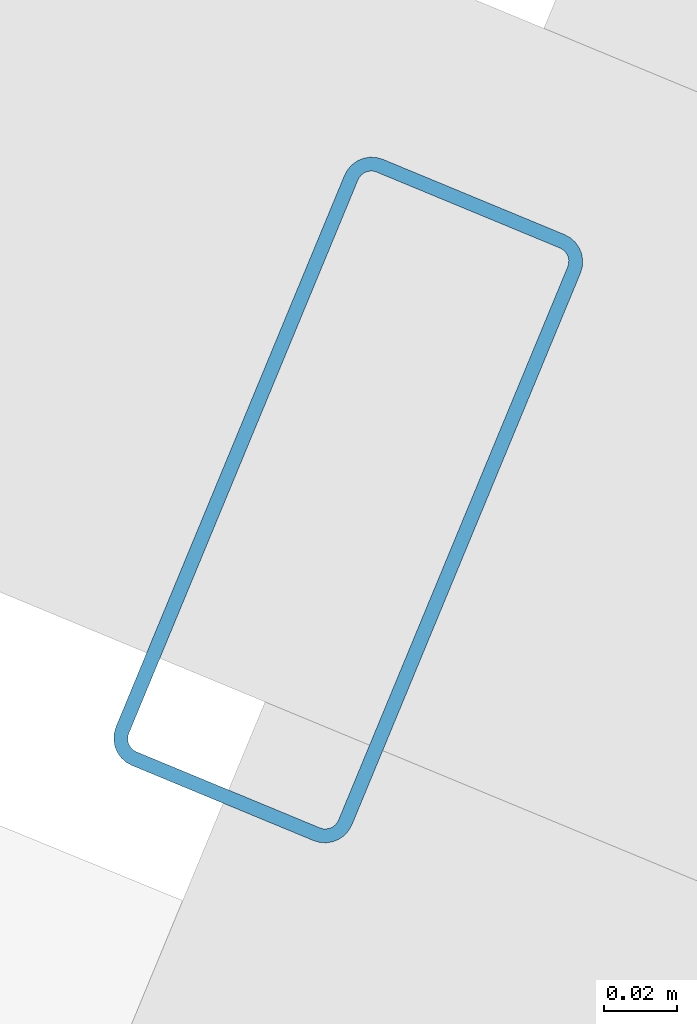
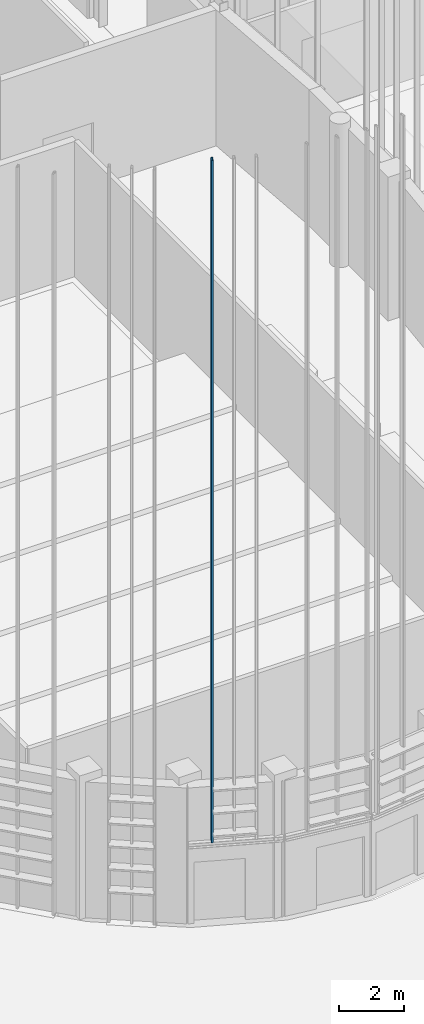
# One storey, part 26 of 372: 1 member.
"""IFC4 building model written with IfcOpenShell, lengths in metres."""

from ifc_helpers import new_model, si_unit, direction, frame, origin, origin_2d, place, context, subcontext, project, spatial, hollow_rectangle, extrude, material, material_profile, profile_set, type_object, element, save


model = new_model("IFC4")

# Units and contexts
model_context = context("Model", 3, precision=1e-05, world=origin(), true_north=direction((0.0, 1.0)))
body_context = subcontext(model_context, "Body", "Model", "MODEL_VIEW")
ifc_project = project(units=[si_unit("LENGTHUNIT", "METRE"), si_unit("AREAUNIT", "SQUARE_METRE"), si_unit("VOLUMEUNIT", "CUBIC_METRE"), si_unit("PLANEANGLEUNIT", "RADIAN"), si_unit("MASSUNIT", "GRAM", prefix="KILO")], contexts=[model_context])

# Site, building, storey
site_placement = place(None, origin())
site = spatial("IfcSite", under=ifc_project, at=site_placement, CompositionType="ELEMENT")
building_placement = place(site_placement, origin())
building = spatial("IfcBuilding", under=site, at=building_placement, Name="Kaelora Sail Theatre", CompositionType="ELEMENT")
storey_placement = place(building_placement, origin())
storey = spatial("IfcBuildingStorey", under=building, at=storey_placement, Name="L00", CompositionType="ELEMENT", Elevation=0.0)

# Member
ifc_material = material(Name="Anodised aluminium 6063-T6", Category="aluminium")
ifc_material_profile = material_profile(ifc_material, hollow_rectangle(XDim=0.070068359375, YDim=0.179931640625, WallThickness=0.00390625, InnerFilletRadius=0.00390625, OuterFilletRadius=0.008056640625, at=origin_2d()), Name="ALU-MULL 70x180x4")
ifc_profile_set = profile_set([ifc_material_profile], Name="Anodised aluminium 6063-T6")
member_type = type_object("IfcMemberType", Name="ARC-MEM-PST-160", PredefinedType="POST", material=ifc_profile_set)
member_placement = place(storey_placement, frame((37.028564453125, 24.78955078125, 3.10009765625), z_axis=(0.0, 0.0, 1.0), x_axis=(-0.923879532511, 0.382683432365, 0.0)))
element("IfcMember", 1, at=member_placement, inside=storey, type_object=member_type, Name="Main Theatre Sail Drum solar louvre vertical support post C13-3", PredefinedType="POST", context=body_context, shape_type="SweptSolid", body=[
    extrude(hollow_rectangle(XDim=0.070068359375, YDim=0.179931640625, WallThickness=0.00390625, InnerFilletRadius=0.00390625, OuterFilletRadius=0.008056640625, at=origin_2d()), origin(), (0.0, 0.0, 1.0), 25.63330078125),
])

save(model, "model.ifc")
